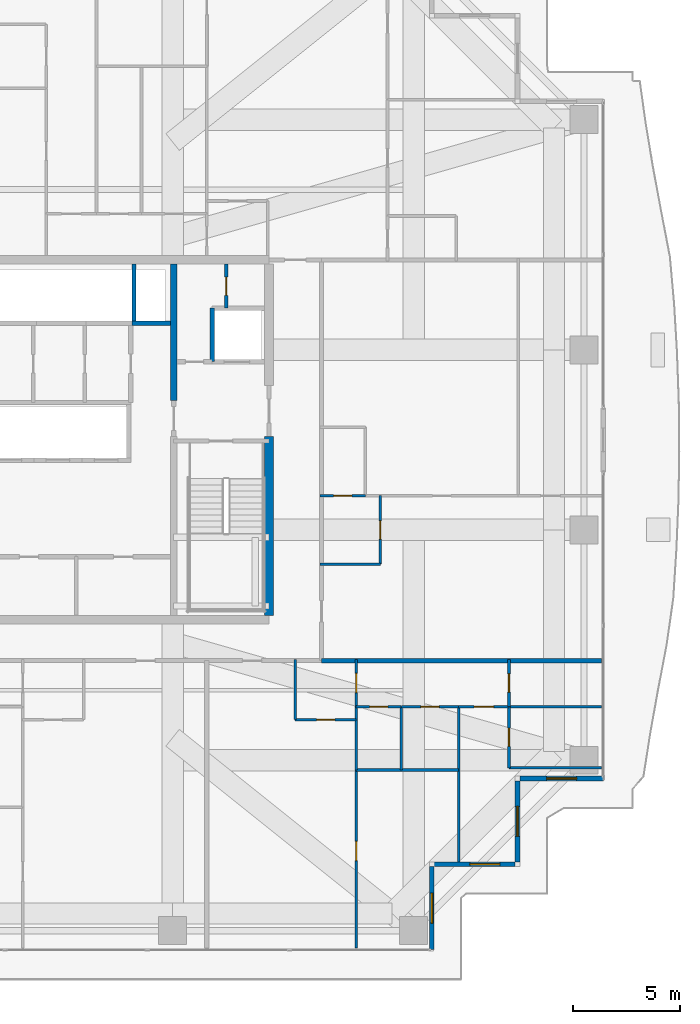
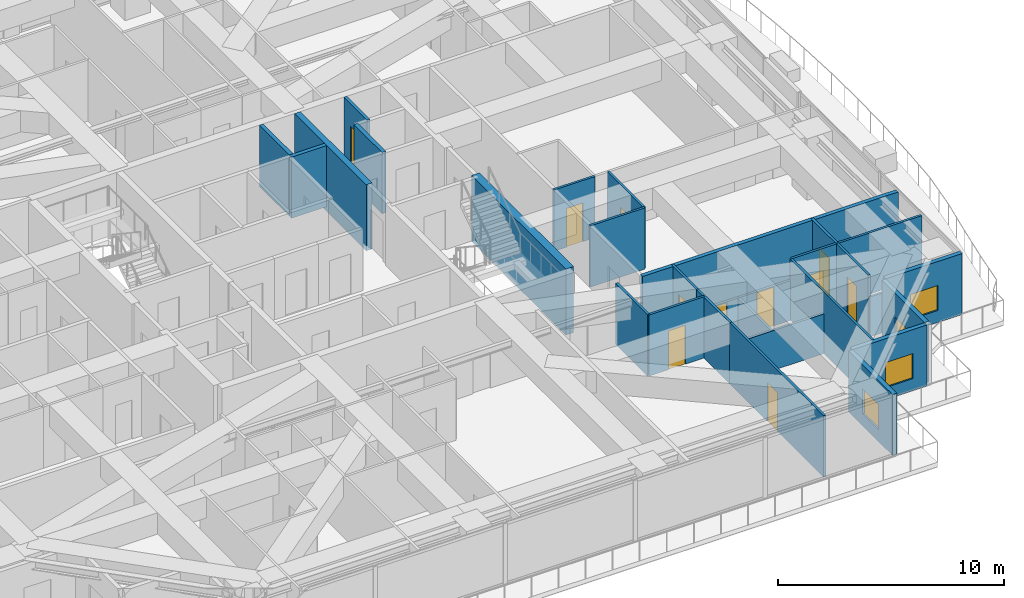
# One storey, part 25 of 32: 29 walls, 11 doors, 4 windows, 15 openings.
"""IFC4 building model written with IfcOpenShell, lengths in metres."""

from ifc_helpers import new_model, si_unit, direction, frame, frame_2d, origin, place, context, subcontext, project, spatial, rectangle, extrude, source, transform, mapped, material, layer, layer_set, type_object, element, fill, save


model = new_model("IFC4")

# Units and contexts
model_context = context("Model", 3, precision=1e-05, world=origin(), true_north=direction((0.0, 1.0)))
body_context = subcontext(model_context, "Body", "Model", "MODEL_VIEW")
ifc_project = project(units=[si_unit("LENGTHUNIT", "METRE"), si_unit("AREAUNIT", "SQUARE_METRE"), si_unit("VOLUMEUNIT", "CUBIC_METRE"), si_unit("PLANEANGLEUNIT", "RADIAN"), si_unit("MASSUNIT", "GRAM", prefix="KILO")], contexts=[model_context])

# Site, building, storey
site_placement = place(None, origin())
site = spatial("IfcSite", under=ifc_project, at=site_placement, CompositionType="ELEMENT")
building_placement = place(site_placement, origin())
building = spatial("IfcBuilding", under=site, at=building_placement, Name="Serunith Strait Residences", CompositionType="ELEMENT")
storey_placement = place(building_placement, frame((0.0, 0.0, 195.14990234375)))
storey = spatial("IfcBuildingStorey", under=building, at=storey_placement, Name="L49", CompositionType="ELEMENT", Elevation=195.14990234375)

# Wall, opening, window
ifc_material_1 = material(Name="Pale-Champagne Aluminium Insulated Panel", Category="aluminium")
ifc_layer_1 = layer(ifc_material_1, 0.219970703125, Name="Pale-Champagne Aluminium Insulated Panel")
ifc_layer_set_1 = layer_set([ifc_layer_1], Name="Pale-Champagne Aluminium Insulated Panel")
wall_type_1 = type_object("IfcWallType", Name="EW-ALUM-220", PredefinedType="ELEMENTEDWALL", material=ifc_layer_set_1)
wall_1_placement = place(storey_placement, frame((49.0, 1.39990234375, 0.0), z_axis=(0.0, 0.0, 1.0), x_axis=(0.0, 1.0, 0.0)))
wall_1 = element("IfcWall", 1, at=wall_1_placement, inside=storey, type_object=wall_type_1, Name="L49 Girih Serrated Corner Wall 02", PredefinedType="ELEMENTEDWALL", context=body_context, shape_type="SweptSolid", body=[
    extrude(rectangle(XDim=3.89013671875, YDim=0.219970703125, at=frame_2d((1.945068359375, 0.0))), origin(), (0.0, 0.0, 1.0), 3.295166015625),
])
opening_1_placement = place(wall_1_placement, frame((1.2451171875, 0.0, 0.64990234375)))
opening_1 = element("IfcOpeningElement", 2, at=opening_1_placement, cuts=wall_1, Name="Opening W-09", PredefinedType="OPENING", context=body_context, shape_type="SweptSolid", body=[
    extrude(rectangle(XDim=1.39990234375, YDim=1.35009765625, at=frame_2d((0.699951171875, 0.675048828125))), frame((0.0, 0.1201171875, 0.0), z_axis=(0.0, -1.0, 0.0), x_axis=(1.0, 0.0, 0.0)), (0.0, 0.0, 1.0), 0.239990234375),
])
ifc_material_2 = material(Name="Setback Spandrel Ceramic-Fritted Operable Window Glass", Category="glass")
window_type = type_object("IfcWindowType", Name="WIN-C7", PartitioningType="DOUBLE_PANEL_VERTICAL", PredefinedType="WINDOW", material=ifc_material_2)
shared_shape_1 = source(origin(), body_context, "Body", "SweptSolid", [
    extrude(rectangle(XDim=1.39990234375, YDim=1.35009765625, at=frame_2d((0.699951171875, 0.675048828125))), frame((0.0, 0.030029296875, 0.0), z_axis=(0.0, -1.0, 0.0), x_axis=(1.0, 0.0, 0.0)), (0.0, 0.0, 1.0), 0.06005859375),
])
window_1_placement = place(opening_1_placement, origin())
window_1 = element("IfcWindow", 3, at=window_1_placement, inside=storey, type_object=window_type, Name="L49 Corner Operable Fritted Window 02", OverallHeight=1.35009765625, OverallWidth=1.39990234375, PartitioningType="SINGLE_PANEL", PredefinedType="WINDOW", context=body_context, shape_type="MappedRepresentation", body=[
    mapped(shared_shape_1, transform((0.0, 0.0, 0.0), scale=1.0)),
])
fill(opening_1, window_1)

wall_2_placement = place(storey_placement, frame((49.110107421875, 5.39990234375, 0.0), z_axis=(0.0, 0.0, 1.0), x_axis=(1.0, 0.0, 0.0)))
wall_2 = element("IfcWall", 4, at=wall_2_placement, inside=storey, type_object=wall_type_1, Name="L49 Girih Serrated Corner Wall 03", PredefinedType="ELEMENTEDWALL", context=body_context, shape_type="SweptSolid", body=[
    extrude(rectangle(XDim=3.77978515625, YDim=0.219970703125, at=frame_2d((1.889892578125, 0.0))), origin(), (0.0, 0.0, 1.0), 3.295166015625),
])
opening_2_placement = place(wall_2_placement, frame((1.666015625, 0.0, 0.64990234375)))
opening_2 = element("IfcOpeningElement", 5, at=opening_2_placement, cuts=wall_2, Name="Opening W-09", PredefinedType="OPENING", context=body_context, shape_type="SweptSolid", body=[
    extrude(rectangle(XDim=1.39990234375, YDim=1.35009765625, at=frame_2d((0.699951171875, 0.675048828125))), frame((0.0, 0.1201171875, 0.0), z_axis=(0.0, -1.0, 0.0), x_axis=(1.0, 0.0, 0.0)), (0.0, 0.0, 1.0), 0.239990234375),
])
window_2_placement = place(opening_2_placement, origin())
window_2 = element("IfcWindow", 6, at=window_2_placement, inside=storey, type_object=window_type, Name="L49 Corner Operable Fritted Window 03", OverallHeight=1.35009765625, OverallWidth=1.39990234375, PartitioningType="SINGLE_PANEL", PredefinedType="WINDOW", context=body_context, shape_type="MappedRepresentation", body=[
    mapped(shared_shape_1, transform((0.0, 0.0, 0.0), scale=1.0)),
])
fill(opening_2, window_2)

wall_3_placement = place(storey_placement, frame((53.0, 5.510009765625, 0.0), z_axis=(0.0, 0.0, 1.0), x_axis=(0.0, 1.0, 0.0)))
wall_3 = element("IfcWall", 7, at=wall_3_placement, inside=storey, type_object=wall_type_1, Name="L49 Girih Serrated Corner Wall 04", PredefinedType="ELEMENTEDWALL", context=body_context, shape_type="SweptSolid", body=[
    extrude(rectangle(XDim=3.780029296875, YDim=0.219970703125, at=frame_2d((1.89013671875, 0.0))), origin(), (0.0, 0.0, 1.0), 3.295166015625),
])
opening_3_placement = place(wall_3_placement, frame((1.18994140625, 0.0, 0.64990234375)))
opening_3 = element("IfcOpeningElement", 8, at=opening_3_placement, cuts=wall_3, Name="Opening W-09", PredefinedType="OPENING", context=body_context, shape_type="SweptSolid", body=[
    extrude(rectangle(XDim=1.39990234375, YDim=1.35009765625, at=frame_2d((0.699951171875, 0.675048828125))), frame((0.0, 0.1201171875, 0.0), z_axis=(0.0, -1.0, 0.0), x_axis=(1.0, 0.0, 0.0)), (0.0, 0.0, 1.0), 0.239990234375),
])
window_3_placement = place(opening_3_placement, origin())
window_3 = element("IfcWindow", 9, at=window_3_placement, inside=storey, type_object=window_type, Name="L49 Corner Operable Fritted Window 04", OverallHeight=1.35009765625, OverallWidth=1.39990234375, PartitioningType="SINGLE_PANEL", PredefinedType="WINDOW", context=body_context, shape_type="MappedRepresentation", body=[
    mapped(shared_shape_1, transform((0.0, 0.0, 0.0), scale=1.0)),
])
fill(opening_3, window_3)

wall_4_placement = place(storey_placement, frame((53.110107421875, 9.39990234375, 0.0), z_axis=(0.0, 0.0, 1.0), x_axis=(1.0, 0.0, 0.0)))
wall_4 = element("IfcWall", 10, at=wall_4_placement, inside=storey, type_object=wall_type_1, Name="L49 Girih Serrated Corner Wall 05", PredefinedType="ELEMENTEDWALL", context=body_context, shape_type="SweptSolid", body=[
    extrude(rectangle(XDim=3.889892578125, YDim=0.219970703125, at=frame_2d((1.94482421875, 0.0))), origin(), (0.0, 0.0, 1.0), 3.295166015625),
])
opening_4_placement = place(wall_4_placement, frame((1.2451171875, 0.0, 0.64990234375)))
opening_4 = element("IfcOpeningElement", 11, at=opening_4_placement, cuts=wall_4, Name="Opening W-09", PredefinedType="OPENING", context=body_context, shape_type="SweptSolid", body=[
    extrude(rectangle(XDim=1.39990234375, YDim=1.35009765625, at=frame_2d((0.699951171875, 0.675048828125))), frame((0.0, 0.1201171875, 0.0), z_axis=(0.0, -1.0, 0.0), x_axis=(1.0, 0.0, 0.0)), (0.0, 0.0, 1.0), 0.239990234375),
])
window_4_placement = place(opening_4_placement, origin())
window_4 = element("IfcWindow", 12, at=window_4_placement, inside=storey, type_object=window_type, Name="L49 Corner Operable Fritted Window 05", OverallHeight=1.35009765625, OverallWidth=1.39990234375, PartitioningType="SINGLE_PANEL", PredefinedType="WINDOW", context=body_context, shape_type="MappedRepresentation", body=[
    mapped(shared_shape_1, transform((0.0, 0.0, 0.0), scale=1.0)),
])
fill(opening_4, window_4)

# Wall, opening, door
ifc_material_3 = material(Name="Fire-rated masonry service closet wall", Category="masonry")
ifc_layer_2 = layer(ifc_material_3, 0.14990234375, Name="Fire-rated masonry service closet wall")
ifc_layer_set_2 = layer_set([ifc_layer_2], Name="Fire-rated masonry service closet wall")
wall_type_2 = type_object("IfcWallType", Name="IW-BOH-150", PredefinedType="PARTITIONING", material=ifc_layer_set_2)
wall_5_placement = place(storey_placement, frame((39.39990234375, 31.35009765625, 0.0), z_axis=(0.0, 0.0, 1.0), x_axis=(0.0, 1.0, 0.0)))
wall_5 = element("IfcWall", 13, at=wall_5_placement, inside=storey, type_object=wall_type_2, Name="L49 Partition Wall 013", PredefinedType="PARTITIONING", context=body_context, shape_type="SweptSolid", body=[
    extrude(rectangle(XDim=2.0498046875, YDim=0.14990234375, at=frame_2d((1.02490234375, 0.0))), origin(), (0.0, 0.0, 1.0), 3.31005859375),
])
opening_5_placement = place(wall_5_placement, frame((0.60009765625, 0.0, 0.0)))
opening_5 = element("IfcOpeningElement", 14, at=opening_5_placement, cuts=wall_5, Name="Opening FD-850", PredefinedType="OPENING", context=body_context, shape_type="SweptSolid", body=[
    extrude(rectangle(XDim=0.85009765625, YDim=2.10009765625, at=frame_2d((0.425048828125, 1.050048828125))), frame((0.0, 0.0849609375, 0.0), z_axis=(0.0, -1.0, 0.0), x_axis=(1.0, 0.0, 0.0)), (0.0, 0.0, 1.0), 0.169921875),
])
ifc_material_4 = material(Name="Powder-coated steel service closet door", Category="steel")
door_type_1 = type_object("IfcDoorType", Name="FD-BOH-850", OperationType="NOTDEFINED", PredefinedType="DOOR", material=ifc_material_4)
shared_shape_2 = source(origin(), body_context, "Body", "SweptSolid", [
    extrude(rectangle(XDim=0.85009765625, YDim=2.10009765625, at=frame_2d((0.425048828125, 1.050048828125))), frame((0.0, 0.02490234375, 0.0), z_axis=(0.0, -1.0, 0.0), x_axis=(1.0, 0.0, 0.0)), (0.0, 0.0, 1.0), 0.050048828125),
])
door_1_placement = place(opening_5_placement, origin())
door_1 = element("IfcDoor", 15, at=door_1_placement, inside=storey, type_object=door_type_1, Name="L49 Janitor Store Door", OperationType="SINGLE_SWING_LEFT", OverallHeight=2.10009765625, OverallWidth=0.85009765625, PredefinedType="DOOR", context=body_context, shape_type="MappedRepresentation", body=[
    mapped(shared_shape_2, transform((0.0, 0.0, 0.0), scale=1.0)),
])
fill(opening_5, door_1)

ifc_material_5 = material(Name="Lightweight steel-stud gypsum partition", Category="steel")
ifc_layer_3 = layer(ifc_material_5, 0.1201171875, Name="Lightweight steel-stud gypsum partition")
ifc_layer_set_3 = layer_set([ifc_layer_3], Name="Lightweight steel-stud gypsum partition")
wall_type_3 = type_object("IfcWallType", Name="IW-PART-120", PredefinedType="PARTITIONING", material=ifc_layer_set_3)
wall_6_placement = place(storey_placement, frame((42.6201171875, 12.14990234375, 0.0), z_axis=(0.0, 0.0, 1.0), x_axis=(1.0, 0.0, 0.0)))
wall_6 = element("IfcWall", 16, at=wall_6_placement, inside=storey, type_object=wall_type_3, Name="L49 Partition Wall 048", PredefinedType="PARTITIONING", context=body_context, shape_type="SweptSolid", body=[
    extrude(rectangle(XDim=2.849853515625, YDim=0.1201171875, at=frame_2d((1.4248046875, 0.0))), origin(), (0.0, 0.0, 1.0), 3.31005859375),
])
opening_6_placement = place(wall_6_placement, frame((1.0, 0.0, 0.0)))
opening_6 = element("IfcOpeningElement", 17, at=opening_6_placement, cuts=wall_6, Name="Opening D-RM850", PredefinedType="OPENING", context=body_context, shape_type="SweptSolid", body=[
    extrude(rectangle(XDim=0.85009765625, YDim=2.10009765625, at=frame_2d((0.425048828125, 1.050048828125))), frame((0.0, 0.070068359375, 0.0), z_axis=(0.0, -1.0, 0.0), x_axis=(1.0, 0.0, 0.0)), (0.0, 0.0, 1.0), 0.14013671875),
])
ifc_material_6 = material(Name="Engineered timber flush study and kitchen door", Category="wood")
door_type_2 = type_object("IfcDoorType", Name="ID-ROOM-850", OperationType="NOTDEFINED", PredefinedType="DOOR", material=ifc_material_6)
door_2_placement = place(opening_6_placement, origin())
door_2 = element("IfcDoor", 18, at=door_2_placement, inside=storey, type_object=door_type_2, Name="L49 Kitchen 4902 Door", OperationType="SINGLE_SWING_LEFT", OverallHeight=2.10009765625, OverallWidth=0.85009765625, PredefinedType="DOOR", context=body_context, shape_type="MappedRepresentation", body=[
    mapped(shared_shape_2, transform((0.0, 0.0, 0.0), scale=1.0)),
])
fill(opening_6, door_2)

# Wall
wall_7_placement = place(storey_placement, frame((42.6201171875, 12.14990234375, 0.0), z_axis=(0.0, 0.0, 1.0), x_axis=(0.0, 1.0, 0.0)))
element("IfcWall", 19, at=wall_7_placement, inside=storey, type_object=wall_type_3, Name="L49 Partition Wall 049", PredefinedType="PARTITIONING", context=body_context, shape_type="SweptSolid", body=[
    extrude(rectangle(XDim=2.81005859375, YDim=0.1201171875, at=frame_2d((1.405029296875, 0.0))), origin(), (0.0, 0.0, 1.0), 3.31005859375),
])

# Wall, opening, door
wall_8_placement = place(storey_placement, frame((45.469970703125, 12.75, 0.0), z_axis=(0.0, 0.0, 1.0), x_axis=(0.0, 1.0, 0.0)))
wall_8 = element("IfcWall", 20, at=wall_8_placement, inside=storey, type_object=wall_type_3, Name="L49 Partition Wall 050", PredefinedType="PARTITIONING", context=body_context, shape_type="SweptSolid", body=[
    extrude(rectangle(XDim=2.2099609375, YDim=0.1201171875, at=frame_2d((1.10498046875, 0.0))), origin(), (0.0, 0.0, 1.0), 3.31005859375),
])
opening_7_placement = place(wall_8_placement, frame((0.655029296875, 0.0, 0.0)))
opening_7 = element("IfcOpeningElement", 21, at=opening_7_placement, cuts=wall_8, Name="Opening D-RM900", PredefinedType="OPENING", context=body_context, shape_type="SweptSolid", body=[
    extrude(rectangle(XDim=0.89990234375, YDim=2.10009765625, at=frame_2d((0.449951171875, 1.050048828125))), frame((0.0, 0.070068359375, 0.0), z_axis=(0.0, -1.0, 0.0), x_axis=(1.0, 0.0, 0.0)), (0.0, 0.0, 1.0), 0.14013671875),
])
ifc_material_7 = material(Name="Engineered timber flush bedroom door", Category="wood")
door_type_3 = type_object("IfcDoorType", Name="ID-ROOM-900", OperationType="NOTDEFINED", PredefinedType="DOOR", material=ifc_material_7)
shared_shape_3 = source(origin(), body_context, "Body", "SweptSolid", [
    extrude(rectangle(XDim=0.89990234375, YDim=2.10009765625, at=frame_2d((0.449951171875, 1.050048828125))), frame((0.0, 0.02490234375, 0.0), z_axis=(0.0, -1.0, 0.0), x_axis=(1.0, 0.0, 0.0)), (0.0, 0.0, 1.0), 0.050048828125),
])
door_3_placement = place(opening_7_placement, origin())
door_3 = element("IfcDoor", 22, at=door_3_placement, inside=storey, type_object=door_type_3, Name="L49 Hall E 4902 Door", OperationType="SINGLE_SWING_RIGHT", OverallHeight=2.10009765625, OverallWidth=0.89990234375, PredefinedType="DOOR", context=body_context, shape_type="MappedRepresentation", body=[
    mapped(shared_shape_3, transform((0.0, 0.0, 0.0), scale=1.0)),
])
fill(opening_7, door_3)

wall_9_placement = place(storey_placement, frame((45.469970703125, 1.4951171875, 0.0), z_axis=(0.0, 0.0, 1.0), x_axis=(0.0, 1.0, 0.0)))
wall_9 = element("IfcWall", 23, at=wall_9_placement, inside=storey, type_object=wall_type_3, Name="L49 Partition Wall 051", PredefinedType="PARTITIONING", context=body_context, shape_type="SweptSolid", body=[
    extrude(rectangle(XDim=8.2998046875, YDim=0.1201171875, at=frame_2d((4.14990234375, 0.0))), origin(), (0.0, 0.0, 1.0), 3.31005859375),
])
opening_8_placement = place(wall_9_placement, frame((4.070068359375, 0.0, 0.0)))
opening_8 = element("IfcOpeningElement", 24, at=opening_8_placement, cuts=wall_9, Name="Opening D-RM900", PredefinedType="OPENING", context=body_context, shape_type="SweptSolid", body=[
    extrude(rectangle(XDim=0.89990234375, YDim=2.10009765625, at=frame_2d((0.449951171875, 1.050048828125))), frame((0.0, 0.070068359375, 0.0), z_axis=(0.0, -1.0, 0.0), x_axis=(1.0, 0.0, 0.0)), (0.0, 0.0, 1.0), 0.14013671875),
])
door_4_placement = place(opening_8_placement, origin())
door_4 = element("IfcDoor", 25, at=door_4_placement, inside=storey, type_object=door_type_3, Name="L49 Formal Dining Room 1 4902 Door", OperationType="SINGLE_SWING_LEFT", OverallHeight=2.10009765625, OverallWidth=0.89990234375, PredefinedType="DOOR", context=body_context, shape_type="MappedRepresentation", body=[
    mapped(shared_shape_3, transform((0.0, 0.0, 0.0), scale=1.0)),
])
fill(opening_8, door_4)

# Walls
wall_10_placement = place(storey_placement, frame((45.469970703125, 9.797119140625, 0.0), z_axis=(0.0, 0.0, 1.0), x_axis=(0.0, 1.0, 0.0)))
element("IfcWall", 26, at=wall_10_placement, inside=storey, type_object=wall_type_3, Name="L49 Partition Wall 052", PredefinedType="PARTITIONING", context=body_context, shape_type="SweptSolid", body=[
    extrude(rectangle(XDim=2.950927734375, YDim=0.1201171875, at=frame_2d((1.4755859375, 0.0))), origin(), (0.0, 0.0, 1.0), 3.31005859375),
])
wall_11_placement = place(storey_placement, frame((45.469970703125, 9.794921875, 0.0), z_axis=(0.0, 0.0, 1.0), x_axis=(1.0, 0.0, 0.0)))
element("IfcWall", 27, at=wall_11_placement, inside=storey, type_object=wall_type_3, Name="L49 Partition Wall 053", PredefinedType="PARTITIONING", context=body_context, shape_type="SweptSolid", body=[
    extrude(rectangle(XDim=4.780029296875, YDim=0.1201171875, at=frame_2d((2.39013671875, 0.0))), origin(), (0.0, 0.0, 1.0), 2.14501953125),
])
wall_12_placement = place(storey_placement, frame((50.25, 5.4951171875, 0.0), z_axis=(0.0, 0.0, 1.0), x_axis=(0.0, 1.0, 0.0)))
element("IfcWall", 28, at=wall_12_placement, inside=storey, type_object=wall_type_3, Name="L49 Partition Wall 054", PredefinedType="PARTITIONING", context=body_context, shape_type="SweptSolid", body=[
    extrude(rectangle(XDim=7.2548828125, YDim=0.1201171875, at=frame_2d((3.62744140625, 0.0))), origin(), (0.0, 0.0, 1.0), 3.31005859375),
])
wall_13_placement = place(storey_placement, frame((47.570068359375, 9.794921875, 0.0), z_axis=(0.0, 0.0, 1.0), x_axis=(0.0, 1.0, 0.0)))
element("IfcWall", 29, at=wall_13_placement, inside=storey, type_object=wall_type_3, Name="L49 Partition Wall 055", PredefinedType="PARTITIONING", context=body_context, shape_type="SweptSolid", body=[
    extrude(rectangle(XDim=2.955078125, YDim=0.1201171875, at=frame_2d((1.4775390625, 0.0))), origin(), (0.0, 0.0, 1.0), 2.14501953125),
])

# Wall, opening, door
wall_14_placement = place(storey_placement, frame((45.469970703125, 12.75, 0.0), z_axis=(0.0, 0.0, 1.0), x_axis=(1.0, 0.0, 0.0)))
wall_14 = element("IfcWall", 30, at=wall_14_placement, inside=storey, type_object=wall_type_3, Name="L49 Partition Wall 056", PredefinedType="PARTITIONING", context=body_context, shape_type="SweptSolid", body=[
    extrude(rectangle(XDim=2.10009765625, YDim=0.1201171875, at=frame_2d((1.050048828125, 0.0))), origin(), (0.0, 0.0, 1.0), 2.14501953125),
])
opening_9_placement = place(wall_14_placement, frame((0.625, 0.0, 0.0)))
opening_9 = element("IfcOpeningElement", 31, at=opening_9_placement, cuts=wall_14, Name="Opening D-BTH850", PredefinedType="OPENING", context=body_context, shape_type="SweptSolid", body=[
    extrude(rectangle(XDim=0.85009765625, YDim=2.10009765625, at=frame_2d((0.425048828125, 1.050048828125))), frame((0.0, 0.070068359375, 0.0), z_axis=(0.0, -1.0, 0.0), x_axis=(1.0, 0.0, 0.0)), (0.0, 0.0, 1.0), 0.14013671875),
])
ifc_material_8 = material(Name="Moisture-resistant timber bathroom door", Category="wood")
door_type_4 = type_object("IfcDoorType", Name="ID-BATH-850", OperationType="NOTDEFINED", PredefinedType="DOOR", material=ifc_material_8)
door_5_placement = place(opening_9_placement, origin())
door_5 = element("IfcDoor", 32, at=door_5_placement, inside=storey, type_object=door_type_4, Name="L49 Bathroom 4902 Door", OperationType="SINGLE_SWING_RIGHT", OverallHeight=2.10009765625, OverallWidth=0.85009765625, PredefinedType="DOOR", context=body_context, shape_type="MappedRepresentation", body=[
    mapped(shared_shape_2, transform((0.0, 0.0, 0.0), scale=1.0)),
])
fill(opening_9, door_5)

wall_15_placement = place(storey_placement, frame((47.572021484375, 12.75, 0.0), z_axis=(0.0, 0.0, 1.0), x_axis=(1.0, 0.0, 0.0)))
wall_15 = element("IfcWall", 33, at=wall_15_placement, inside=storey, type_object=wall_type_3, Name="L49 Partition Wall 057", PredefinedType="PARTITIONING", context=body_context, shape_type="SweptSolid", body=[
    extrude(rectangle(XDim=2.677978515625, YDim=0.1201171875, at=frame_2d((1.3388671875, 0.0))), origin(), (0.0, 0.0, 1.0), 2.14501953125),
])
opening_10_placement = place(wall_15_placement, frame((0.9140625, 0.0, 0.0)))
opening_10 = element("IfcOpeningElement", 34, at=opening_10_placement, cuts=wall_15, Name="Opening D-RM850", PredefinedType="OPENING", context=body_context, shape_type="SweptSolid", body=[
    extrude(rectangle(XDim=0.85009765625, YDim=2.10009765625, at=frame_2d((0.425048828125, 1.050048828125))), frame((0.0, 0.070068359375, 0.0), z_axis=(0.0, -1.0, 0.0), x_axis=(1.0, 0.0, 0.0)), (0.0, 0.0, 1.0), 0.14013671875),
])
door_6_placement = place(opening_10_placement, origin())
door_6 = element("IfcDoor", 35, at=door_6_placement, inside=storey, type_object=door_type_2, Name="L49 Formal Dining Room 4902 Door", OperationType="SINGLE_SWING_LEFT", OverallHeight=2.10009765625, OverallWidth=0.85009765625, PredefinedType="DOOR", context=body_context, shape_type="MappedRepresentation", body=[
    mapped(shared_shape_2, transform((0.0, 0.0, 0.0), scale=1.0)),
])
fill(opening_10, door_6)

wall_16_placement = place(storey_placement, frame((50.251953125, 12.75, 0.0), z_axis=(0.0, 0.0, 1.0), x_axis=(1.0, 0.0, 0.0)))
wall_16 = element("IfcWall", 36, at=wall_16_placement, inside=storey, type_object=wall_type_3, Name="L49 Partition Wall 058", PredefinedType="PARTITIONING", context=body_context, shape_type="SweptSolid", body=[
    extrude(rectangle(XDim=2.34814453125, YDim=0.1201171875, at=frame_2d((1.174072265625, 0.0))), origin(), (0.0, 0.0, 1.0), 3.31005859375),
])
opening_11_placement = place(wall_16_placement, frame((0.72412109375, 0.0, 0.0)))
opening_11 = element("IfcOpeningElement", 37, at=opening_11_placement, cuts=wall_16, Name="Opening D-RM900", PredefinedType="OPENING", context=body_context, shape_type="SweptSolid", body=[
    extrude(rectangle(XDim=0.89990234375, YDim=2.10009765625, at=frame_2d((0.449951171875, 1.050048828125))), frame((0.0, 0.070068359375, 0.0), z_axis=(0.0, -1.0, 0.0), x_axis=(1.0, 0.0, 0.0)), (0.0, 0.0, 1.0), 0.14013671875),
])
door_7_placement = place(opening_11_placement, origin())
door_7 = element("IfcDoor", 38, at=door_7_placement, inside=storey, type_object=door_type_3, Name="L49 Master Bedroom E 4902 Door", OperationType="SINGLE_SWING_RIGHT", OverallHeight=2.10009765625, OverallWidth=0.89990234375, PredefinedType="DOOR", context=body_context, shape_type="MappedRepresentation", body=[
    mapped(shared_shape_3, transform((0.0, 0.0, 0.0), scale=1.0)),
])
fill(opening_11, door_7)

# Walls
wall_17_placement = place(storey_placement, frame((52.60009765625, 9.89501953125, 0.0), z_axis=(0.0, 0.0, 1.0), x_axis=(1.0, 0.0, 0.0)))
element("IfcWall", 39, at=wall_17_placement, inside=storey, type_object=wall_type_3, Name="L49 Partition Wall 059", PredefinedType="PARTITIONING", context=body_context, shape_type="SweptSolid", body=[
    extrude(rectangle(XDim=4.304931640625, YDim=0.1201171875, at=frame_2d((2.15234375, 0.0))), origin(), (0.0, 0.0, 1.0), 2.14501953125),
])
wall_18_placement = place(storey_placement, frame((52.60205078125, 12.75, 0.0), z_axis=(0.0, 0.0, 1.0), x_axis=(1.0, 0.0, 0.0)))
element("IfcWall", 40, at=wall_18_placement, inside=storey, type_object=wall_type_3, Name="L49 Partition Wall 060", PredefinedType="PARTITIONING", context=body_context, shape_type="SweptSolid", body=[
    extrude(rectangle(XDim=4.302978515625, YDim=0.1201171875, at=frame_2d((2.1513671875, 0.0))), origin(), (0.0, 0.0, 1.0), 3.31005859375),
])

# Wall, opening, door
wall_19_placement = place(storey_placement, frame((52.60009765625, 9.89501953125, 0.0), z_axis=(0.0, 0.0, 1.0), x_axis=(0.0, 1.0, 0.0)))
wall_19 = element("IfcWall", 41, at=wall_19_placement, inside=storey, type_object=wall_type_3, Name="L49 Partition Wall 061", PredefinedType="PARTITIONING", context=body_context, shape_type="SweptSolid", body=[
    extrude(rectangle(XDim=2.85498046875, YDim=0.1201171875, at=frame_2d((1.427490234375, 0.0))), origin(), (0.0, 0.0, 1.0), 3.31005859375),
])
opening_12_placement = place(wall_19_placement, frame((1.0029296875, 0.0, 0.0)))
opening_12 = element("IfcOpeningElement", 42, at=opening_12_placement, cuts=wall_19, Name="Opening D-BTH850", PredefinedType="OPENING", context=body_context, shape_type="SweptSolid", body=[
    extrude(rectangle(XDim=0.85009765625, YDim=2.10009765625, at=frame_2d((0.425048828125, 1.050048828125))), frame((0.0, 0.070068359375, 0.0), z_axis=(0.0, -1.0, 0.0), x_axis=(1.0, 0.0, 0.0)), (0.0, 0.0, 1.0), 0.14013671875),
])
door_8_placement = place(opening_12_placement, origin())
door_8 = element("IfcDoor", 43, at=door_8_placement, inside=storey, type_object=door_type_4, Name="L49 En-suite Bathroom E 4902 Door", OperationType="SINGLE_SWING_LEFT", OverallHeight=2.10009765625, OverallWidth=0.85009765625, PredefinedType="DOOR", context=body_context, shape_type="MappedRepresentation", body=[
    mapped(shared_shape_2, transform((0.0, 0.0, 0.0), scale=1.0)),
])
fill(opening_12, door_8)

wall_20_placement = place(storey_placement, frame((52.60009765625, 12.751953125, 0.0), z_axis=(0.0, 0.0, 1.0), x_axis=(0.0, 1.0, 0.0)))
wall_20 = element("IfcWall", 44, at=wall_20_placement, inside=storey, type_object=wall_type_3, Name="L49 Partition Wall 062", PredefinedType="PARTITIONING", context=body_context, shape_type="SweptSolid", body=[
    extrude(rectangle(XDim=2.2080078125, YDim=0.1201171875, at=frame_2d((1.10400390625, 0.0))), origin(), (0.0, 0.0, 1.0), 3.31005859375),
])
opening_13_placement = place(wall_20_placement, frame((0.678955078125, 0.0, 0.0)))
opening_13 = element("IfcOpeningElement", 45, at=opening_13_placement, cuts=wall_20, Name="Opening D-RM850", PredefinedType="OPENING", context=body_context, shape_type="SweptSolid", body=[
    extrude(rectangle(XDim=0.85009765625, YDim=2.10009765625, at=frame_2d((0.425048828125, 1.050048828125))), frame((0.0, 0.070068359375, 0.0), z_axis=(0.0, -1.0, 0.0), x_axis=(1.0, 0.0, 0.0)), (0.0, 0.0, 1.0), 0.14013671875),
])
door_9_placement = place(opening_13_placement, origin())
door_9 = element("IfcDoor", 46, at=door_9_placement, inside=storey, type_object=door_type_2, Name="L49 Wardrobe E 4902 Door", OperationType="SINGLE_SWING_RIGHT", OverallHeight=2.10009765625, OverallWidth=0.85009765625, PredefinedType="DOOR", context=body_context, shape_type="MappedRepresentation", body=[
    mapped(shared_shape_2, transform((0.0, 0.0, 0.0), scale=1.0)),
])
fill(opening_13, door_9)

wall_21_placement = place(storey_placement, frame((46.60009765625, 19.39990234375, 0.0), z_axis=(0.0, 0.0, 1.0), x_axis=(0.0, 1.0, 0.0)))
wall_21 = element("IfcWall", 47, at=wall_21_placement, inside=storey, type_object=wall_type_3, Name="L49 Partition Wall 096", PredefinedType="PARTITIONING", context=body_context, shape_type="SweptSolid", body=[
    extrude(rectangle(XDim=3.2001953125, YDim=0.1201171875, at=frame_2d((1.60009765625, 0.0))), origin(), (0.0, 0.0, 1.0), 3.31005859375),
])
opening_14_placement = place(wall_21_placement, frame((1.175048828125, 0.0, 0.0)))
opening_14 = element("IfcOpeningElement", 48, at=opening_14_placement, cuts=wall_21, Name="Opening D-RM850", PredefinedType="OPENING", context=body_context, shape_type="SweptSolid", body=[
    extrude(rectangle(XDim=0.85009765625, YDim=2.10009765625, at=frame_2d((0.425048828125, 1.050048828125))), frame((0.0, 0.070068359375, 0.0), z_axis=(0.0, -1.0, 0.0), x_axis=(1.0, 0.0, 0.0)), (0.0, 0.0, 1.0), 0.14013671875),
])
door_10_placement = place(opening_14_placement, origin())
door_10 = element("IfcDoor", 49, at=door_10_placement, inside=storey, type_object=door_type_2, Name="L49 Kitchen 4906 Door", OperationType="SINGLE_SWING_RIGHT", OverallHeight=2.10009765625, OverallWidth=0.85009765625, PredefinedType="DOOR", context=body_context, shape_type="MappedRepresentation", body=[
    mapped(shared_shape_2, transform((0.0, 0.0, 0.0), scale=1.0)),
])
fill(opening_14, door_10)

# Wall
wall_22_placement = place(storey_placement, frame((46.60009765625, 19.39990234375, 0.0), z_axis=(0.0, 0.0, 1.0), x_axis=(-1.0, 0.0, 0.0)))
element("IfcWall", 50, at=wall_22_placement, inside=storey, type_object=wall_type_3, Name="L49 Partition Wall 097", PredefinedType="PARTITIONING", context=body_context, shape_type="SweptSolid", body=[
    extrude(rectangle(XDim=2.81005859375, YDim=0.1201171875, at=frame_2d((1.405029296875, 0.0))), origin(), (0.0, 0.0, 1.0), 3.31005859375),
])

# Wall, opening, door
wall_23_placement = place(storey_placement, frame((45.89794921875, 22.60009765625, 0.0), z_axis=(0.0, 0.0, 1.0), x_axis=(-1.0, 0.0, 0.0)))
wall_23 = element("IfcWall", 51, at=wall_23_placement, inside=storey, type_object=wall_type_3, Name="L49 Partition Wall 103", PredefinedType="PARTITIONING", context=body_context, shape_type="SweptSolid", body=[
    extrude(rectangle(XDim=2.10791015625, YDim=0.1201171875, at=frame_2d((1.053955078125, 0.0))), origin(), (0.0, 0.0, 1.0), 3.31005859375),
])
opening_15_placement = place(wall_23_placement, frame((0.62890625, 0.0, 0.0)))
opening_15 = element("IfcOpeningElement", 52, at=opening_15_placement, cuts=wall_23, Name="Opening D-BTH850", PredefinedType="OPENING", context=body_context, shape_type="SweptSolid", body=[
    extrude(rectangle(XDim=0.85009765625, YDim=2.10009765625, at=frame_2d((0.425048828125, 1.050048828125))), frame((0.0, 0.070068359375, 0.0), z_axis=(0.0, -1.0, 0.0), x_axis=(1.0, 0.0, 0.0)), (0.0, 0.0, 1.0), 0.14013671875),
])
door_11_placement = place(opening_15_placement, origin())
door_11 = element("IfcDoor", 53, at=door_11_placement, inside=storey, type_object=door_type_4, Name="L49 Bathroom 4906 Door", OperationType="SINGLE_SWING_LEFT", OverallHeight=2.10009765625, OverallWidth=0.85009765625, PredefinedType="DOOR", context=body_context, shape_type="MappedRepresentation", body=[
    mapped(shared_shape_2, transform((0.0, 0.0, 0.0), scale=1.0)),
])
fill(opening_15, door_11)

# Walls
ifc_material_9 = material(Name="Twin-stud acoustic gypsum board partition")
ifc_layer_4 = layer(ifc_material_9, 0.199951171875, Name="Twin-stud acoustic gypsum board partition")
ifc_layer_set_4 = layer_set([ifc_layer_4], Name="Twin-stud acoustic gypsum board partition")
wall_type_4 = type_object("IfcWallType", Name="IW-PARTY-200", PredefinedType="PARTITIONING", material=ifc_layer_set_4)
wall_24_placement = place(storey_placement, frame((43.85009765625, 14.89990234375, 0.0), z_axis=(0.0, 0.0, 1.0), x_axis=(1.0, 0.0, 0.0)))
element("IfcWall", 54, at=wall_24_placement, inside=storey, type_object=wall_type_4, Name="L49 Partition Wall 023", PredefinedType="PARTITIONING", context=body_context, shape_type="SweptSolid", body=[
    extrude(rectangle(XDim=13.06787109375, YDim=0.199951171875, at=frame_2d((6.533935546875, 0.0))), origin(), (0.0, 0.0, 1.0), 3.31005859375),
])
ifc_material_10 = material(Name="Autoclaved aerated concrete blockwork", Category="masonry")
ifc_layer_5 = layer(ifc_material_10, 0.199951171875, Name="Autoclaved aerated concrete blockwork")
ifc_layer_set_5 = layer_set([ifc_layer_5], Name="Autoclaved aerated concrete blockwork")
wall_type_5 = type_object("IfcWallType", Name="IW-SHAFT-200", PredefinedType="STANDARD", material=ifc_layer_set_5)
wall_25_placement = place(storey_placement, frame((35.0, 30.64990234375, 0.0), z_axis=(0.0, 0.0, 1.0), x_axis=(1.0, 0.0, 0.0)))
element("IfcWall", 55, at=wall_25_placement, inside=storey, type_object=wall_type_5, Name="L49 SL-1 South Shaft Wall", PredefinedType="STANDARD", context=body_context, shape_type="SweptSolid", body=[
    extrude(rectangle(XDim=1.800048828125, YDim=0.199951171875, at=frame_2d((0.89990234375, 0.0))), origin(), (0.0, 0.0, 1.0), 3.31005859375),
])
wall_26_placement = place(storey_placement, frame((35.10009765625, 30.75, 0.0), z_axis=(0.0, 0.0, 1.0), x_axis=(0.0, 1.0, 0.0)))
element("IfcWall", 56, at=wall_26_placement, inside=storey, type_object=wall_type_5, Name="L49 SL-1 West Shaft Wall", PredefinedType="STANDARD", context=body_context, shape_type="SweptSolid", body=[
    extrude(rectangle(XDim=2.64990234375, YDim=0.199951171875, at=frame_2d((1.324951171875, 0.0))), origin(), (0.0, 0.0, 1.0), 3.31005859375),
])
wall_27_placement = place(storey_placement, frame((38.75, 28.85009765625, 0.0), z_axis=(0.0, 0.0, 1.0), x_axis=(0.0, 1.0, 0.0)))
element("IfcWall", 57, at=wall_27_placement, inside=storey, type_object=wall_type_5, Name="L49 Partition Wall 004", PredefinedType="STANDARD", context=body_context, shape_type="SweptSolid", body=[
    extrude(rectangle(XDim=2.5, YDim=0.199951171875, at=frame_2d((1.25, 0.0))), origin(), (0.0, 0.0, 1.0), 3.31005859375),
])
ifc_material_11 = material(Name="Concrete C70/85", Category="concrete")
ifc_layer_6 = layer(ifc_material_11, 0.300048828125, Name="Concrete C70/85")
ifc_layer_set_6 = layer_set([ifc_layer_6], Name="Concrete C70/85")
wall_type_6 = type_object("IfcWallType", Name="SW-300-C70", PredefinedType="SHEAR", material=ifc_layer_set_6)
wall_28_placement = place(storey_placement, frame((36.949951171875, 27.050048828125, -0.260009765625), z_axis=(0.0, 0.0, 1.0), x_axis=(0.0, 1.0, 0.0)))
element("IfcWall", 58, at=wall_28_placement, inside=storey, type_object=wall_type_6, Name="L49 Core Internal East Web North Pier", PredefinedType="SHEAR", context=body_context, shape_type="SweptSolid", body=[
    extrude(rectangle(XDim=6.349853515625, YDim=0.300048828125, at=frame_2d((3.1748046875, 0.0))), origin(), (0.0, 0.0, 1.0), 3.568115234375),
])
ifc_layer_7 = layer(ifc_material_11, 0.39990234375, Name="Concrete C70/85")
ifc_layer_set_7 = layer_set([ifc_layer_7], Name="Concrete C70/85")
wall_type_7 = type_object("IfcWallType", Name="SW-400-C70", PredefinedType="SHEAR", material=ifc_layer_set_7)
wall_29_placement = place(storey_placement, frame((41.39990234375, 17.0, -0.260009765625), z_axis=(0.0, 0.0, 1.0), x_axis=(0.0, 1.0, 0.0)))
element("IfcWall", 59, at=wall_29_placement, inside=storey, type_object=wall_type_7, Name="L49 Core East Shear Wall South Pier", PredefinedType="SHEAR", context=body_context, shape_type="SweptSolid", body=[
    extrude(rectangle(XDim=8.35009765625, YDim=0.39990234375, at=frame_2d((4.175048828125, 0.0))), origin(), (0.0, 0.0, 1.0), 3.568115234375),
])

save(model, "model.ifc")
